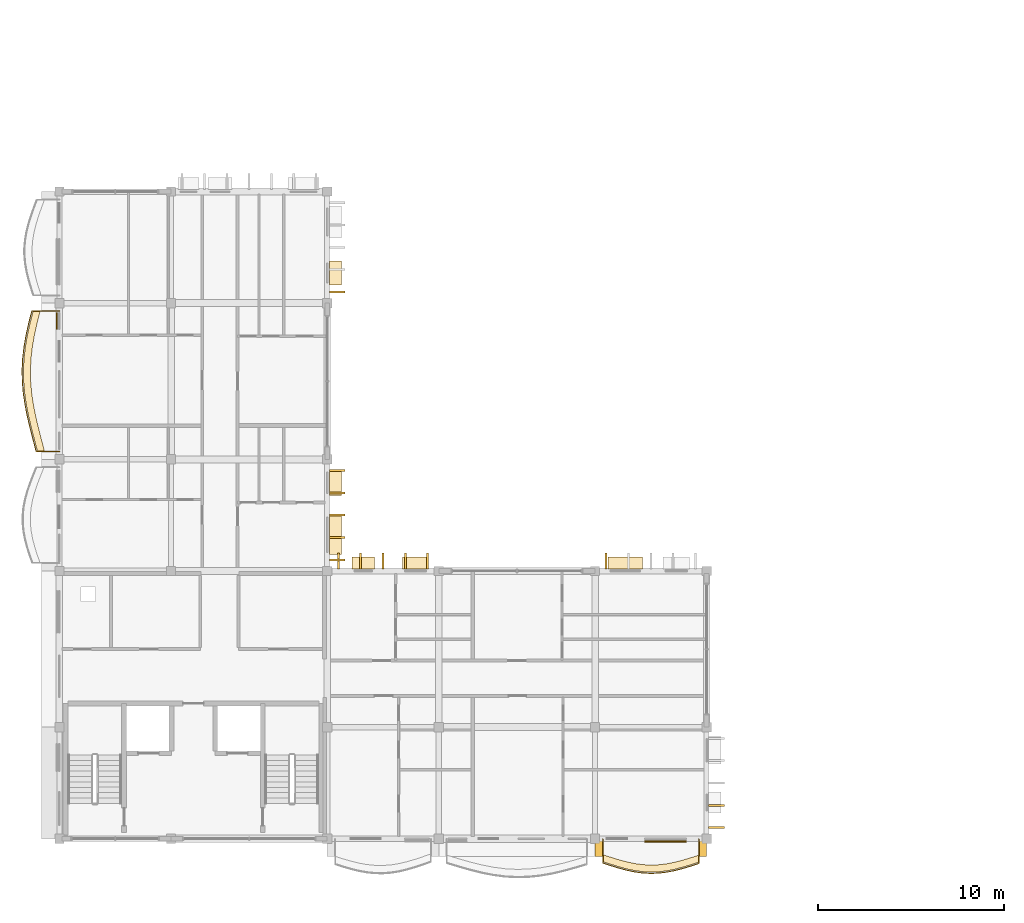
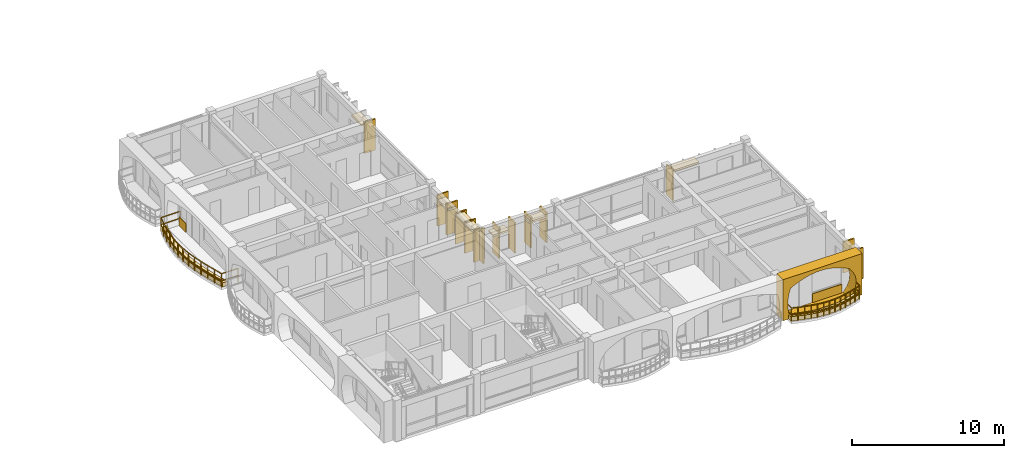
# One storey, part 40 of 54: 25 coverings, 2 railings.
"""IFC4 building model written with IfcOpenShell, lengths in metres."""

from ifc_helpers import new_model, si_unit, direction, frame, origin, origin_2d, place, context, subcontext, project, spatial, polyline, rectangle, outline, extrude, material, layer, layer_set, type_object, element, save


model = new_model("IFC4")

# Units and contexts
model_context = context("Model", 3, precision=1e-05, world=origin(), true_north=direction((0.0, 1.0)))
body_context = subcontext(model_context, "Body", "Model", "MODEL_VIEW")
ifc_project = project(units=[si_unit("LENGTHUNIT", "METRE"), si_unit("AREAUNIT", "SQUARE_METRE"), si_unit("VOLUMEUNIT", "CUBIC_METRE"), si_unit("PLANEANGLEUNIT", "RADIAN"), si_unit("MASSUNIT", "GRAM", prefix="KILO"), si_unit("THERMODYNAMICTEMPERATUREUNIT", "KELVIN")], contexts=[model_context])

# Site, building, storey
site_placement = place(None, origin())
site = spatial("IfcSite", under=ifc_project, at=site_placement, CompositionType="ELEMENT")
building_placement = place(site_placement, origin())
building = spatial("IfcBuilding", under=site, at=building_placement, Name="Thalorik Housing Commons", CompositionType="ELEMENT")
storey_placement = place(building_placement, frame((0.0, 0.0, 31.199951171875)))
storey = spatial("IfcBuildingStorey", under=building, at=storey_placement, Name="L09", CompositionType="ELEMENT", Elevation=31.199951171875)

# Coverings
ifc_material_1 = material(Name="Precast concrete C40/50", Category="concrete")
ifc_layer_1 = layer(ifc_material_1, 0.85009765625, Name="Precast concrete C40/50", Category="concrete")
ifc_layer_set_1 = layer_set([ifc_layer_1], Name="Precast concrete C40/50")
covering_type_1 = type_object("IfcCoveringType", Name="ARC-CLD-CUSH-850", PredefinedType="CLADDING", material=ifc_layer_set_1)
covering_1_placement = place(storey_placement, frame((40.199951171875, 7.862548828125, 0.0), z_axis=(0.0, 0.0, 1.0), x_axis=(1.0, 0.0, 0.0)))
element("IfcCovering", 1, at=covering_1_placement, inside=storey, type_object=covering_type_1, Name="L09 White Precast Curved Cushion Bay Frame 4392", PredefinedType="CLADDING", context=body_context, shape_type="SweptSolid", body=[
    extrude(outline(polyline([(-3.0, 0.0), (3.0, 0.0), (3.0, 3.300048828125), (-3.0, 3.300048828125), (-3.0, 0.0)]), holes=[polyline([(2.0400390625, 0.02490234375), (2.3232421875, 0.42431640625), (2.493408203125, 0.8232421875), (2.550048828125, 1.222412109375), (2.493408203125, 1.62158203125), (2.3232421875, 2.020751953125), (2.0400390625, 2.419921875), (1.66748046875, 2.608642578125), (1.294921875, 2.7568359375), (0.922607421875, 2.876953125), (0.550048828125, 2.96630859375), (0.177490234375, 3.021484375), (-0.195068359375, 3.0400390625), (-0.5673828125, 3.021484375), (-0.93994140625, 2.96630859375), (-1.3125, 2.876953125), (-1.68505859375, 2.7568359375), (-2.0576171875, 2.608642578125), (-2.429931640625, 2.419921875), (-2.55029296875, 2.020751953125), (-2.62255859375, 1.62158203125), (-2.646484375, 1.222412109375), (-2.62255859375, 0.8232421875), (-2.55029296875, 0.42431640625), (-2.429931640625, 0.02490234375), (2.0400390625, 0.02490234375)])]), frame((0.0, 0.425048828125, 0.0), z_axis=(0.0, -1.0, 0.0), x_axis=(1.0, 0.0, 0.0)), (0.0, 0.0, 1.0), 0.85009765625),
])
ifc_layer_2 = layer(ifc_material_1, 0.85009765625, Name="Precast concrete C40/50", Category="concrete")
ifc_layer_set_2 = layer_set([ifc_layer_2], Name="Precast concrete C40/50")
covering_type_2 = type_object("IfcCoveringType", Name="ARC-CLD-FIN-850", PredefinedType="CLADDING", material=ifc_layer_set_2)
for number, where, z_axis, x_axis, name in (
    (2, (23.33740234375, 23.39990234375, 0.0400390625), (0.0, 0.0, 1.0), (0.0, 1.0, 0.0), "L09 Courtyard Precast Vertical Brise-Soleil Fin 4354"),
    (3, (23.33740234375, 24.60009765625, 0.0400390625), (0.0, 0.0, 1.0), (0.0, 1.0, 0.0), "L09 Courtyard Precast Vertical Brise-Soleil Fin 4355"),
    (4, (23.33740234375, 25.800048828125, 0.0400390625), (0.0, 0.0, 1.0), (0.0, 1.0, 0.0), "L09 Courtyard Precast Vertical Brise-Soleil Fin 4356"),
    (5, (23.33740234375, 27.0, 0.0400390625), (0.0, 0.0, 1.0), (0.0, 1.0, 0.0), "L09 Courtyard Precast Vertical Brise-Soleil Fin 4357"),
    (6, (23.33740234375, 28.199951171875, 0.0400390625), (0.0, 0.0, 1.0), (0.0, 1.0, 0.0), "L09 Courtyard Precast Vertical Brise-Soleil Fin 4358"),
    (7, (23.33740234375, 37.800048828125, 0.0400390625), (0.0, 0.0, 1.0), (0.0, 1.0, 0.0), "L09 Courtyard Precast Vertical Brise-Soleil Fin 4361"),
    (8, (43.737548828125, 9.0, 0.0400390625), (0.0, 0.0, 1.0), (0.0, 1.0, 0.0), "L09 Courtyard Precast Vertical Brise-Soleil Fin 4394"),
    (9, (43.737548828125, 10.199951171875, 0.0400390625), (0.0, 0.0, 1.0), (0.0, 1.0, 0.0), "L09 Courtyard Precast Vertical Brise-Soleil Fin 4395"),
):
    element("IfcCovering", number, at=place(storey_placement, frame(where, z_axis=z_axis, x_axis=x_axis)), inside=storey, type_object=covering_type_2, Name=name, PredefinedType="CLADDING", context=body_context, shape_type="SweptSolid", body=[
        extrude(rectangle(XDim=0.110107421875, YDim=0.85009765625, at=origin_2d()), origin(), (0.0, 0.0, 1.0), 2.4951171875),
    ])
for number, where, z_axis, x_axis, name in (
    (10, (37.800048828125, 23.33740234375, 0.0400390625), (0.0, 0.0, 1.0), (-1.0, 0.0, 0.0), "L09 Courtyard Precast Vertical Brise-Soleil Fin 4405"),
    (11, (28.199951171875, 23.33740234375, 0.0400390625), (0.0, 0.0, 1.0), (-1.0, 0.0, 0.0), "L09 Courtyard Precast Vertical Brise-Soleil Fin 4408"),
    (12, (27.0, 23.33740234375, 0.0400390625), (0.0, 0.0, 1.0), (-1.0, 0.0, 0.0), "L09 Courtyard Precast Vertical Brise-Soleil Fin 4409"),
    (13, (25.800048828125, 23.33740234375, 0.0400390625), (0.0, 0.0, 1.0), (-1.0, 0.0, 0.0), "L09 Courtyard Precast Vertical Brise-Soleil Fin 4410"),
    (14, (24.60009765625, 23.33740234375, 0.0400390625), (0.0, 0.0, 1.0), (-1.0, 0.0, 0.0), "L09 Courtyard Precast Vertical Brise-Soleil Fin 4411"),
    (15, (23.39990234375, 23.33740234375, 0.0400390625), (0.0, 0.0, 1.0), (-1.0, 0.0, 0.0), "L09 Courtyard Precast Vertical Brise-Soleil Fin 4412"),
):
    element("IfcCovering", number, at=place(storey_placement, frame(where, z_axis=z_axis, x_axis=x_axis)), inside=storey, type_object=covering_type_2, Name=name, PredefinedType="CLADDING", context=body_context, shape_type="SweptSolid", body=[
        extrude(rectangle(XDim=0.110107421875, YDim=0.85009765625, at=origin_2d()), origin(), (0.0, 0.0, 1.0), 2.445068359375),
    ])
ifc_layer_3 = layer(ifc_material_1, 0.64990234375, Name="Precast concrete C40/50", Category="concrete")
ifc_layer_set_3 = layer_set([ifc_layer_3], Name="Precast concrete C40/50")
covering_type_3 = type_object("IfcCoveringType", Name="ARC-CLD-HOOD-650", PredefinedType="CLADDING", material=ifc_layer_set_3)
covering_2_placement = place(storey_placement, frame((23.237548828125, 24.7353515625, 2.31005859375), z_axis=(0.0, 0.0, 1.0), x_axis=(0.0, 1.0, 0.0)))
element("IfcCovering", 16, at=covering_2_placement, inside=storey, type_object=covering_type_3, Name="L09 Courtyard Precast Window Sun-Hood 4359", PredefinedType="CLADDING", context=body_context, shape_type="SweptSolid", body=[
    extrude(rectangle(XDim=2.1201171875, YDim=0.64990234375, at=origin_2d()), origin(), (0.0, 0.0, 1.0), 0.139892578125),
])
covering_3_placement = place(storey_placement, frame((23.237548828125, 27.54541015625, 2.0400390625), z_axis=(0.0, 0.0, 1.0), x_axis=(0.0, 1.0, 0.0)))
element("IfcCovering", 17, at=covering_3_placement, inside=storey, type_object=covering_type_3, Name="L09 Courtyard Precast Window Sun-Hood 4360", PredefinedType="CLADDING", context=body_context, shape_type="SweptSolid", body=[
    extrude(rectangle(XDim=1.389892578125, YDim=0.64990234375, at=origin_2d()), origin(), (0.0, 0.0, 1.0), 0.139892578125),
])
covering_4_placement = place(storey_placement, frame((23.237548828125, 38.830078125, 1.990234375), z_axis=(0.0, 0.0, 1.0), x_axis=(0.0, 1.0, 0.0)))
element("IfcCovering", 18, at=covering_4_placement, inside=storey, type_object=covering_type_3, Name="L09 Courtyard Precast Window Sun-Hood 4366", PredefinedType="CLADDING", context=body_context, shape_type="SweptSolid", body=[
    extrude(rectangle(XDim=1.2900390625, YDim=0.64990234375, at=origin_2d()), origin(), (0.0, 0.0, 1.0), 0.139892578125),
])
covering_5_placement = place(storey_placement, frame((38.830078125, 23.237548828125, 2.34033203125), z_axis=(0.0, 0.0, 1.0), x_axis=(-1.0, 0.0, 0.0)))
element("IfcCovering", 19, at=covering_5_placement, inside=storey, type_object=covering_type_3, Name="L09 Courtyard Precast Window Sun-Hood 4407", PredefinedType="CLADDING", context=body_context, shape_type="SweptSolid", body=[
    extrude(rectangle(XDim=1.840087890625, YDim=0.64990234375, at=origin_2d()), origin(), (0.0, 0.0, 1.0), 0.139892578125),
])
covering_6_placement = place(storey_placement, frame((27.54541015625, 23.237548828125, 2.0400390625), z_axis=(0.0, 0.0, 1.0), x_axis=(-1.0, 0.0, 0.0)))
element("IfcCovering", 20, at=covering_6_placement, inside=storey, type_object=covering_type_3, Name="L09 Courtyard Precast Window Sun-Hood 4413", PredefinedType="CLADDING", context=body_context, shape_type="SweptSolid", body=[
    extrude(rectangle(XDim=1.389892578125, YDim=0.64990234375, at=origin_2d()), origin(), (0.0, 0.0, 1.0), 0.139892578125),
])
covering_7_placement = place(storey_placement, frame((24.7353515625, 23.237548828125, 1.93994140625), z_axis=(0.0, 0.0, 1.0), x_axis=(-1.0, 0.0, 0.0)))
element("IfcCovering", 21, at=covering_7_placement, inside=storey, type_object=covering_type_3, Name="L09 Courtyard Precast Window Sun-Hood 4414", PredefinedType="CLADDING", context=body_context, shape_type="SweptSolid", body=[
    extrude(rectangle(XDim=1.18994140625, YDim=0.64990234375, at=origin_2d()), origin(), (0.0, 0.0, 1.0), 0.139892578125),
])
ifc_material_2 = material(Name="Terracotta red mineral fibre-cement panel", Category="masonry")
ifc_layer_4 = layer(ifc_material_2, 0.054931640625, Name="Terracotta red mineral fibre-cement panel", Category="masonry")
ifc_layer_set_4 = layer_set([ifc_layer_4], Name="Terracotta red mineral fibre-cement panel")
covering_type_4 = type_object("IfcCoveringType", Name="ARC-CLD-RED-55", PredefinedType="CLADDING", material=ifc_layer_set_4)
covering_8_placement = place(storey_placement, frame((8.2548828125, 36.2451171875, 0.05029296875), z_axis=(0.0, 0.0, 1.0), x_axis=(0.0, -1.0, 0.0)))
element("IfcCovering", 22, at=covering_8_placement, inside=storey, type_object=covering_type_4, Name="L09 De Stijl Recessed Window Spandrel 4381", PredefinedType="CLADDING", context=body_context, shape_type="SweptSolid", body=[
    extrude(rectangle(XDim=0.89990234375, YDim=0.054931640625, at=origin_2d()), origin(), (0.0, 0.0, 1.0), 0.699951171875),
])
ifc_material_3 = material(Name="Mineral ochre architectural terracotta panel", Category="masonry")
ifc_layer_5 = layer(ifc_material_3, 0.06494140625, Name="Mineral ochre architectural terracotta panel", Category="masonry")
ifc_layer_set_5 = layer_set([ifc_layer_5], Name="Mineral ochre architectural terracotta panel")
covering_type_5 = type_object("IfcCoveringType", Name="ARC-CLD-YEL-65", PredefinedType="CLADDING", material=ifc_layer_set_5)
covering_9_placement = place(storey_placement, frame((40.989990234375, 8.25, 0.05029296875), z_axis=(0.0, 0.0, 1.0), x_axis=(1.0, 0.0, 0.0)))
element("IfcCovering", 23, at=covering_9_placement, inside=storey, type_object=covering_type_5, Name="L09 De Stijl Recessed Window Spandrel 4393", PredefinedType="CLADDING", context=body_context, shape_type="SweptSolid", body=[
    extrude(rectangle(XDim=2.25, YDim=0.06494140625, at=origin_2d()), origin(), (0.0, 0.0, 1.0), 0.699951171875),
])
ifc_material_4 = material(Name="Planted vegetated substrate and terracotta trough", Category="masonry")
ifc_layer_6 = layer(ifc_material_4, 0.340087890625, Name="Planted vegetated substrate and terracotta trough", Category="masonry")
ifc_layer_set_6 = layer_set([ifc_layer_6], Name="Planted vegetated substrate and terracotta trough")
covering_type_6 = type_object("IfcCoveringType", Name="ARC-COV-PLANTER", PredefinedType="USERDEFINED", material=ifc_layer_set_6)
covering_10_placement = place(storey_placement, origin())
element("IfcCovering", 24, at=covering_10_placement, inside=storey, type_object=covering_type_6, Name="L09 Balcony Slab-Edge Planted Trough 5634", ObjectType="PLANTER", PredefinedType="USERDEFINED", context=body_context, shape_type="SweptSolid", body=[
    extrude(outline(polyline([(6.984619140625, 36.780029296875), (6.823974609375, 36.14990234375), (6.682861328125, 35.52001953125), (6.571044921875, 34.889892578125), (6.49609375, 34.260009765625), (6.462890625, 33.6298828125), (6.473388671875, 33.0), (6.52685546875, 32.3701171875), (6.619384765625, 31.739990234375), (6.744384765625, 31.110107421875), (6.89306640625, 30.47998046875), (7.055419921875, 29.85009765625), (7.2197265625, 29.219970703125), (7.599853515625, 29.219970703125), (7.435302734375, 29.85009765625), (7.273193359375, 30.47998046875), (7.124267578125, 31.110107421875), (6.99951171875, 31.739990234375), (6.906982421875, 32.3701171875), (6.853515625, 33.0), (6.843017578125, 33.6298828125), (6.876220703125, 34.260009765625), (6.951171875, 34.889892578125), (7.062744140625, 35.52001953125), (7.203857421875, 36.14990234375), (7.364501953125, 36.780029296875), (6.984619140625, 36.780029296875)])), origin(), (0.0, 0.0, 1.0), 0.340087890625),
])
covering_11_placement = place(storey_placement, origin())
element("IfcCovering", 25, at=covering_11_placement, inside=storey, type_object=covering_type_6, Name="L09 Balcony Slab-Edge Planted Trough 5638", ObjectType="PLANTER", PredefinedType="USERDEFINED", context=body_context, shape_type="SweptSolid", body=[
    extrude(outline(polyline([(37.6201171875, 7.165771484375), (38.050048828125, 7.02490234375), (38.47998046875, 6.891845703125), (38.909912109375, 6.7763671875), (39.340087890625, 6.6865234375), (39.77001953125, 6.628662109375), (40.199951171875, 6.60693359375), (40.6298828125, 6.622802734375), (41.06005859375, 6.675048828125), (41.489990234375, 6.759765625), (41.919921875, 6.87060546875), (42.35009765625, 6.999755859375), (42.780029296875, 7.1376953125), (42.780029296875, 7.517822265625), (42.35009765625, 7.3798828125), (41.919921875, 7.250732421875), (41.489990234375, 7.1396484375), (41.06005859375, 7.05517578125), (40.6298828125, 7.0029296875), (40.199951171875, 6.987060546875), (39.77001953125, 7.0087890625), (39.340087890625, 7.06640625), (38.909912109375, 7.15625), (38.47998046875, 7.27197265625), (38.050048828125, 7.40478515625), (37.6201171875, 7.5458984375), (37.6201171875, 7.165771484375)])), origin(), (0.0, 0.0, 1.0), 0.340087890625),
])

# Railings
ifc_material_5 = material(Name="Steel S355", Category="steel")
railing_type = type_object("IfcRailingType", Name="ARC-RL-BAL-112", PredefinedType="BALUSTRADE", material=ifc_material_5)
railing_1_placement = place(storey_placement, frame((8.39990234375, 36.780029296875, 0.0)))
element("IfcRailing", 26, at=railing_1_placement, inside=storey, type_object=railing_type, Name="L09 Cushion Balcony Guardrail 318", PredefinedType="BALUSTRADE", context=body_context, shape_type="SweptSolid", body=[
    extrude(rectangle(XDim=0.050048828125, YDim=0.050048828125, at=origin_2d()), frame((0.0, 0.0, 1.09521484375), z_axis=(-1.0, 0.0, 0.0), x_axis=(0.0, -1.0, 0.0)), (0.0, 0.0, 1.0), 1.4853515625),
    extrude(rectangle(XDim=0.050048828125, YDim=0.050048828125, at=origin_2d()), frame((0.0, 0.0, 0.53515625), z_axis=(-1.0, 0.0, 0.0), x_axis=(0.0, -1.0, 0.0)), (0.0, 0.0, 1.0), 1.4853515625),
    extrude(rectangle(XDim=0.050048828125, YDim=0.050048828125, at=origin_2d()), frame((-1.4853515625, 0.0, 1.09521484375), z_axis=(-0.247038266917, -0.969005724791, 0.0), x_axis=(0.969005724791, -0.247038266917, 0.0)), (0.0, 0.0, 1.0), 0.650390625),
    extrude(rectangle(XDim=0.050048828125, YDim=0.050048828125, at=origin_2d()), frame((-1.4853515625, 0.0, 0.53515625), z_axis=(-0.247038266917, -0.969005724791, 0.0), x_axis=(0.969005724791, -0.247038266917, 0.0)), (0.0, 0.0, 1.0), 0.650390625),
    extrude(rectangle(XDim=0.050048828125, YDim=0.050048828125, at=origin_2d()), frame((-1.64599609375, -0.630126953125, 1.09521484375), z_axis=(-0.218612109708, -0.975811839183, 0.0), x_axis=(0.975811839183, -0.218612109708, 0.0)), (0.0, 0.0, 1.0), 0.6455078125),
    extrude(rectangle(XDim=0.050048828125, YDim=0.050048828125, at=origin_2d()), frame((-1.64599609375, -0.630126953125, 0.53515625), z_axis=(-0.218612109708, -0.975811839183, 0.0), x_axis=(0.975811839183, -0.218612109708, 0.0)), (0.0, 0.0, 1.0), 0.6455078125),
    extrude(rectangle(XDim=0.050048828125, YDim=0.050048828125, at=origin_2d()), frame((-1.787109375, -1.260009765625, 1.09521484375), z_axis=(-0.174351172623, -0.984683537287, 0.0), x_axis=(0.984683537287, -0.174351172623, 0.0)), (0.0, 0.0, 1.0), 0.639892578125),
    extrude(rectangle(XDim=0.050048828125, YDim=0.050048828125, at=origin_2d()), frame((-1.787109375, -1.260009765625, 0.53515625), z_axis=(-0.174351172623, -0.984683537287, 0.0), x_axis=(0.984683537287, -0.174351172623, 0.0)), (0.0, 0.0, 1.0), 0.639892578125),
    extrude(rectangle(XDim=0.050048828125, YDim=0.050048828125, at=origin_2d()), frame((-1.898681640625, -1.89013671875, 1.09521484375), z_axis=(-0.118538157109, -0.992949497864, 0.0), x_axis=(0.992949497864, -0.118538157109, 0.0)), (0.0, 0.0, 1.0), 0.63427734375),
    extrude(rectangle(XDim=0.050048828125, YDim=0.050048828125, at=origin_2d()), frame((-1.898681640625, -1.89013671875, 0.53515625), z_axis=(-0.118538157109, -0.992949497864, 0.0), x_axis=(0.992949497864, -0.118538157109, 0.0)), (0.0, 0.0, 1.0), 0.63427734375),
    extrude(rectangle(XDim=0.050048828125, YDim=0.050048828125, at=origin_2d()), frame((-1.973876953125, -2.52001953125, 1.09521484375), z_axis=(-0.052619755312, -0.998614621038, 0.0), x_axis=(0.998614621038, -0.052619755312, 0.0)), (0.0, 0.0, 1.0), 0.631103515625),
    extrude(rectangle(XDim=0.050048828125, YDim=0.050048828125, at=origin_2d()), frame((-1.973876953125, -2.52001953125, 0.53515625), z_axis=(-0.052619755312, -0.998614621038, 0.0), x_axis=(0.998614621038, -0.052619755312, 0.0)), (0.0, 0.0, 1.0), 0.631103515625),
    extrude(rectangle(XDim=0.050048828125, YDim=0.050048828125, at=origin_2d()), frame((-2.007080078125, -3.150146484375, 1.09521484375), z_axis=(0.017051784008, -0.999854607762, 0.0), x_axis=(0.999854607762, 0.017051784008, 0.0)), (0.0, 0.0, 1.0), 0.6298828125),
    extrude(rectangle(XDim=0.050048828125, YDim=0.050048828125, at=origin_2d()), frame((-2.007080078125, -3.150146484375, 0.53515625), z_axis=(0.017051784008, -0.999854607762, 0.0), x_axis=(0.999854607762, 0.017051784008, 0.0)), (0.0, 0.0, 1.0), 0.6298828125),
    extrude(rectangle(XDim=0.050048828125, YDim=0.050048828125, at=origin_2d()), frame((-1.996337890625, -3.780029296875, 1.09521484375), z_axis=(0.084196095588, -0.99644920467, 0.0), x_axis=(0.99644920467, 0.084196095588, 0.0)), (0.0, 0.0, 1.0), 0.632080078125),
    extrude(rectangle(XDim=0.050048828125, YDim=0.050048828125, at=origin_2d()), frame((-1.996337890625, -3.780029296875, 0.53515625), z_axis=(0.084196095588, -0.99644920467, 0.0), x_axis=(0.99644920467, 0.084196095588, 0.0)), (0.0, 0.0, 1.0), 0.632080078125),
    extrude(rectangle(XDim=0.050048828125, YDim=0.050048828125, at=origin_2d()), frame((-1.943115234375, -4.409912109375, 1.09521484375), z_axis=(0.145284304764, -0.989389948801, 0.0), x_axis=(0.989389948801, 0.145284304764, 0.0)), (0.0, 0.0, 1.0), 0.636962890625),
    extrude(rectangle(XDim=0.050048828125, YDim=0.050048828125, at=origin_2d()), frame((-1.943115234375, -4.409912109375, 0.53515625), z_axis=(0.145284304764, -0.989389948801, 0.0), x_axis=(0.989389948801, 0.145284304764, 0.0)), (0.0, 0.0, 1.0), 0.636962890625),
    extrude(rectangle(XDim=0.050048828125, YDim=0.050048828125, at=origin_2d()), frame((-1.8505859375, -5.0400390625, 1.09521484375), z_axis=(0.194653674939, -0.980872033872, 0.0), x_axis=(0.980872033872, 0.194653674939, 0.0)), (0.0, 0.0, 1.0), 0.64208984375),
    extrude(rectangle(XDim=0.050048828125, YDim=0.050048828125, at=origin_2d()), frame((-1.8505859375, -5.0400390625, 0.53515625), z_axis=(0.194653674939, -0.980872033872, 0.0), x_axis=(0.980872033872, 0.194653674939, 0.0)), (0.0, 0.0, 1.0), 0.64208984375),
    extrude(rectangle(XDim=0.050048828125, YDim=0.050048828125, at=origin_2d()), frame((-1.7255859375, -5.669921875, 1.09521484375), z_axis=(0.2296488173, -0.973273559033, 0.0), x_axis=(0.973273559033, 0.2296488173, 0.0)), (0.0, 0.0, 1.0), 0.6474609375),
    extrude(rectangle(XDim=0.050048828125, YDim=0.050048828125, at=origin_2d()), frame((-1.7255859375, -5.669921875, 0.53515625), z_axis=(0.2296488173, -0.973273559033, 0.0), x_axis=(0.973273559033, 0.2296488173, 0.0)), (0.0, 0.0, 1.0), 0.6474609375),
    extrude(rectangle(XDim=0.050048828125, YDim=0.050048828125, at=origin_2d()), frame((-1.576904296875, -6.300048828125, 1.09521484375), z_axis=(0.249594222451, -0.968350517178, 0.0), x_axis=(0.968350517178, 0.249594222451, 0.0)), (0.0, 0.0, 1.0), 0.650390625),
    extrude(rectangle(XDim=0.050048828125, YDim=0.050048828125, at=origin_2d()), frame((-1.576904296875, -6.300048828125, 0.53515625), z_axis=(0.249594222451, -0.968350517178, 0.0), x_axis=(0.968350517178, 0.249594222451, 0.0)), (0.0, 0.0, 1.0), 0.650390625),
    extrude(rectangle(XDim=0.050048828125, YDim=0.050048828125, at=origin_2d()), frame((-1.41455078125, -6.929931640625, 1.09521484375), z_axis=(0.252666055778, -0.967553545938, 0.0), x_axis=(0.967553545938, 0.252666055778, 0.0)), (0.0, 0.0, 1.0), 0.6513671875),
    extrude(rectangle(XDim=0.050048828125, YDim=0.050048828125, at=origin_2d()), frame((-1.41455078125, -6.929931640625, 0.53515625), z_axis=(0.252666055778, -0.967553545938, 0.0), x_axis=(0.967553545938, 0.252666055778, 0.0)), (0.0, 0.0, 1.0), 0.6513671875),
    extrude(rectangle(XDim=0.050048828125, YDim=0.050048828125, at=origin_2d()), frame((-1.25, -7.56005859375, 1.09521484375), z_axis=(1.0, 0.0, 0.0), x_axis=(0.0, 1.0, 0.0)), (0.0, 0.0, 1.0), 1.25),
    extrude(rectangle(XDim=0.050048828125, YDim=0.050048828125, at=origin_2d()), frame((-1.25, -7.56005859375, 0.53515625), z_axis=(1.0, 0.0, 0.0), x_axis=(0.0, 1.0, 0.0)), (0.0, 0.0, 1.0), 1.25),
    extrude(rectangle(XDim=0.0419921875, YDim=0.0419921875, at=origin_2d()), origin(), (0.0, 0.0, 1.0), 1.070068359375),
    extrude(rectangle(XDim=0.0419921875, YDim=0.0419921875, at=origin_2d()), frame((-1.4853515625, 0.0, 0.0)), (0.0, 0.0, 1.0), 1.070068359375),
    extrude(rectangle(XDim=0.0419921875, YDim=0.0419921875, at=origin_2d()), frame((-1.64599609375, -0.630126953125, 0.0)), (0.0, 0.0, 1.0), 1.070068359375),
    extrude(rectangle(XDim=0.0419921875, YDim=0.0419921875, at=origin_2d()), frame((-1.787109375, -1.260009765625, 0.0)), (0.0, 0.0, 1.0), 1.070068359375),
    extrude(rectangle(XDim=0.0419921875, YDim=0.0419921875, at=origin_2d()), frame((-1.898681640625, -1.89013671875, 0.0)), (0.0, 0.0, 1.0), 1.070068359375),
    extrude(rectangle(XDim=0.0419921875, YDim=0.0419921875, at=origin_2d()), frame((-1.973876953125, -2.52001953125, 0.0)), (0.0, 0.0, 1.0), 1.070068359375),
    extrude(rectangle(XDim=0.0419921875, YDim=0.0419921875, at=origin_2d()), frame((-2.007080078125, -3.150146484375, 0.0)), (0.0, 0.0, 1.0), 1.070068359375),
    extrude(rectangle(XDim=0.0419921875, YDim=0.0419921875, at=origin_2d()), frame((-1.996337890625, -3.780029296875, 0.0)), (0.0, 0.0, 1.0), 1.070068359375),
    extrude(rectangle(XDim=0.0419921875, YDim=0.0419921875, at=origin_2d()), frame((-1.943115234375, -4.409912109375, 0.0)), (0.0, 0.0, 1.0), 1.070068359375),
    extrude(rectangle(XDim=0.0419921875, YDim=0.0419921875, at=origin_2d()), frame((-1.8505859375, -5.0400390625, 0.0)), (0.0, 0.0, 1.0), 1.070068359375),
    extrude(rectangle(XDim=0.0419921875, YDim=0.0419921875, at=origin_2d()), frame((-1.7255859375, -5.669921875, 0.0)), (0.0, 0.0, 1.0), 1.070068359375),
    extrude(rectangle(XDim=0.0419921875, YDim=0.0419921875, at=origin_2d()), frame((-1.576904296875, -6.300048828125, 0.0)), (0.0, 0.0, 1.0), 1.070068359375),
    extrude(rectangle(XDim=0.0419921875, YDim=0.0419921875, at=origin_2d()), frame((-1.41455078125, -6.929931640625, 0.0)), (0.0, 0.0, 1.0), 1.070068359375),
    extrude(rectangle(XDim=0.0419921875, YDim=0.0419921875, at=origin_2d()), frame((-1.25, -7.56005859375, 0.0)), (0.0, 0.0, 1.0), 1.070068359375),
    extrude(rectangle(XDim=0.0419921875, YDim=0.0419921875, at=origin_2d()), frame((0.0, -7.56005859375, 0.0)), (0.0, 0.0, 1.0), 1.070068359375),
])
railing_2_placement = place(storey_placement, frame((37.6201171875, 8.39990234375, 0.0)))
element("IfcRailing", 27, at=railing_2_placement, inside=storey, type_object=railing_type, Name="L09 Cushion Balcony Guardrail 322", PredefinedType="BALUSTRADE", context=body_context, shape_type="SweptSolid", body=[
    extrude(rectangle(XDim=0.050048828125, YDim=0.050048828125, at=origin_2d()), frame((0.0, 0.0, 1.09521484375), z_axis=(0.0, -1.0, 0.0), x_axis=(1.0, 0.0, 0.0)), (0.0, 0.0, 1.0), 1.30419921875),
    extrude(rectangle(XDim=0.050048828125, YDim=0.050048828125, at=origin_2d()), frame((0.0, 0.0, 0.53515625), z_axis=(0.0, -1.0, 0.0), x_axis=(1.0, 0.0, 0.0)), (0.0, 0.0, 1.0), 1.30419921875),
    extrude(rectangle(XDim=0.050048828125, YDim=0.050048828125, at=origin_2d()), frame((0.0, -1.30419921875, 1.09521484375), z_axis=(0.950289758629, -0.311366945332, 0.0), x_axis=(0.311366945332, 0.950289758629, 0.0)), (0.0, 0.0, 1.0), 0.452392578125),
    extrude(rectangle(XDim=0.050048828125, YDim=0.050048828125, at=origin_2d()), frame((0.0, -1.30419921875, 0.53515625), z_axis=(0.950289758629, -0.311366945332, 0.0), x_axis=(0.311366945332, 0.950289758629, 0.0)), (0.0, 0.0, 1.0), 0.452392578125),
    extrude(rectangle(XDim=0.050048828125, YDim=0.050048828125, at=origin_2d()), frame((0.429931640625, -1.445068359375, 1.09521484375), z_axis=(0.955449943184, -0.295153190853, 0.0), x_axis=(0.295153190853, 0.955449943184, 0.0)), (0.0, 0.0, 1.0), 0.449951171875),
    extrude(rectangle(XDim=0.050048828125, YDim=0.050048828125, at=origin_2d()), frame((0.429931640625, -1.445068359375, 0.53515625), z_axis=(0.955449943184, -0.295153190853, 0.0), x_axis=(0.295153190853, 0.955449943184, 0.0)), (0.0, 0.0, 1.0), 0.449951171875),
    extrude(rectangle(XDim=0.050048828125, YDim=0.050048828125, at=origin_2d()), frame((0.85986328125, -1.577880859375, 1.09521484375), z_axis=(0.965631639751, -0.259914478843, 0.0), x_axis=(0.259914478843, 0.965631639751, 0.0)), (0.0, 0.0, 1.0), 0.4453125),
    extrude(rectangle(XDim=0.050048828125, YDim=0.050048828125, at=origin_2d()), frame((0.85986328125, -1.577880859375, 0.53515625), z_axis=(0.965631639751, -0.259914478843, 0.0), x_axis=(0.259914478843, 0.965631639751, 0.0)), (0.0, 0.0, 1.0), 0.4453125),
    extrude(rectangle(XDim=0.050048828125, YDim=0.050048828125, at=origin_2d()), frame((1.289794921875, -1.693603515625, 1.09521484375), z_axis=(0.97887861676, -0.204442299074, 0.0), x_axis=(0.204442299074, 0.97887861676, 0.0)), (0.0, 0.0, 1.0), 0.439453125),
    extrude(rectangle(XDim=0.050048828125, YDim=0.050048828125, at=origin_2d()), frame((1.289794921875, -1.693603515625, 0.53515625), z_axis=(0.97887861676, -0.204442299074, 0.0), x_axis=(0.204442299074, 0.97887861676, 0.0)), (0.0, 0.0, 1.0), 0.439453125),
    extrude(rectangle(XDim=0.050048828125, YDim=0.050048828125, at=origin_2d()), frame((1.719970703125, -1.783447265625, 1.09521484375), z_axis=(0.99106495406, -0.133380121586, 0.0), x_axis=(0.133380121586, 0.99106495406, 0.0)), (0.0, 0.0, 1.0), 0.433837890625),
    extrude(rectangle(XDim=0.050048828125, YDim=0.050048828125, at=origin_2d()), frame((1.719970703125, -1.783447265625, 0.53515625), z_axis=(0.99106495406, -0.133380121586, 0.0), x_axis=(0.133380121586, 0.99106495406, 0.0)), (0.0, 0.0, 1.0), 0.433837890625),
    extrude(rectangle(XDim=0.050048828125, YDim=0.050048828125, at=origin_2d()), frame((2.14990234375, -1.84130859375, 1.09521484375), z_axis=(0.99875375282, -0.049909330067, 0.0), x_axis=(0.049909330067, 0.99875375282, 0.0)), (0.0, 0.0, 1.0), 0.430419921875),
    extrude(rectangle(XDim=0.050048828125, YDim=0.050048828125, at=origin_2d()), frame((2.14990234375, -1.84130859375, 0.53515625), z_axis=(0.99875375282, -0.049909330067, 0.0), x_axis=(0.049909330067, 0.99875375282, 0.0)), (0.0, 0.0, 1.0), 0.430419921875),
    extrude(rectangle(XDim=0.050048828125, YDim=0.050048828125, at=origin_2d()), frame((2.579833984375, -1.86279296875, 1.09521484375), z_axis=(0.999319489991, 0.03688572791, 0.0), x_axis=(-0.03688572791, 0.999319489991, 0.0)), (0.0, 0.0, 1.0), 0.43017578125),
    extrude(rectangle(XDim=0.050048828125, YDim=0.050048828125, at=origin_2d()), frame((2.579833984375, -1.86279296875, 0.53515625), z_axis=(0.999319489991, 0.03688572791, 0.0), x_axis=(-0.03688572791, 0.999319489991, 0.0)), (0.0, 0.0, 1.0), 0.43017578125),
    extrude(rectangle(XDim=0.050048828125, YDim=0.050048828125, at=origin_2d()), frame((3.009765625, -1.846923828125, 1.09521484375), z_axis=(0.992772482645, 0.120011656529, 0.0), x_axis=(-0.120011656529, 0.992772482645, 0.0)), (0.0, 0.0, 1.0), 0.433349609375),
    extrude(rectangle(XDim=0.050048828125, YDim=0.050048828125, at=origin_2d()), frame((3.009765625, -1.846923828125, 0.53515625), z_axis=(0.992772482645, 0.120011656529, 0.0), x_axis=(-0.120011656529, 0.992772482645, 0.0)), (0.0, 0.0, 1.0), 0.433349609375),
    extrude(rectangle(XDim=0.050048828125, YDim=0.050048828125, at=origin_2d()), frame((3.43994140625, -1.794921875, 1.09521484375), z_axis=(0.98113386456, 0.193329614425, 0.0), x_axis=(-0.193329614425, 0.98113386456, 0.0)), (0.0, 0.0, 1.0), 0.438232421875),
    extrude(rectangle(XDim=0.050048828125, YDim=0.050048828125, at=origin_2d()), frame((3.43994140625, -1.794921875, 0.53515625), z_axis=(0.98113386456, 0.193329614425, 0.0), x_axis=(-0.193329614425, 0.98113386456, 0.0)), (0.0, 0.0, 1.0), 0.438232421875),
    extrude(rectangle(XDim=0.050048828125, YDim=0.050048828125, at=origin_2d()), frame((3.869873046875, -1.710205078125, 1.09521484375), z_axis=(0.968204332881, 0.250160687939, 0.0), x_axis=(-0.250160687939, 0.968204332881, 0.0)), (0.0, 0.0, 1.0), 0.444091796875),
    extrude(rectangle(XDim=0.050048828125, YDim=0.050048828125, at=origin_2d()), frame((3.869873046875, -1.710205078125, 0.53515625), z_axis=(0.968204332881, 0.250160687939, 0.0), x_axis=(-0.250160687939, 0.968204332881, 0.0)), (0.0, 0.0, 1.0), 0.444091796875),
    extrude(rectangle(XDim=0.050048828125, YDim=0.050048828125, at=origin_2d()), frame((4.2998046875, -1.59912109375, 1.09521484375), z_axis=(0.957916015978, 0.287048613188, 0.0), x_axis=(-0.287048613188, 0.957916015978, 0.0)), (0.0, 0.0, 1.0), 0.448974609375),
    extrude(rectangle(XDim=0.050048828125, YDim=0.050048828125, at=origin_2d()), frame((4.2998046875, -1.59912109375, 0.53515625), z_axis=(0.957916015978, 0.287048613188, 0.0), x_axis=(-0.287048613188, 0.957916015978, 0.0)), (0.0, 0.0, 1.0), 0.448974609375),
    extrude(rectangle(XDim=0.050048828125, YDim=0.050048828125, at=origin_2d()), frame((4.72998046875, -1.47021484375, 1.09521484375), z_axis=(0.952034186086, 0.30599168048, 0.0), x_axis=(-0.30599168048, 0.952034186086, 0.0)), (0.0, 0.0, 1.0), 0.45166015625),
    extrude(rectangle(XDim=0.050048828125, YDim=0.050048828125, at=origin_2d()), frame((4.72998046875, -1.47021484375, 0.53515625), z_axis=(0.952034186086, 0.30599168048, 0.0), x_axis=(-0.30599168048, 0.952034186086, 0.0)), (0.0, 0.0, 1.0), 0.45166015625),
    extrude(rectangle(XDim=0.050048828125, YDim=0.050048828125, at=origin_2d()), frame((5.159912109375, -1.33203125, 1.09521484375), z_axis=(0.0, 1.0, 0.0), x_axis=(-1.0, 0.0, 0.0)), (0.0, 0.0, 1.0), 1.33203125),
    extrude(rectangle(XDim=0.050048828125, YDim=0.050048828125, at=origin_2d()), frame((5.159912109375, -1.33203125, 0.53515625), z_axis=(0.0, 1.0, 0.0), x_axis=(-1.0, 0.0, 0.0)), (0.0, 0.0, 1.0), 1.33203125),
    extrude(rectangle(XDim=0.0419921875, YDim=0.0419921875, at=origin_2d()), origin(), (0.0, 0.0, 1.0), 1.070068359375),
    extrude(rectangle(XDim=0.0419921875, YDim=0.0419921875, at=origin_2d()), frame((0.0, -1.30419921875, 0.0)), (0.0, 0.0, 1.0), 1.070068359375),
    extrude(rectangle(XDim=0.0419921875, YDim=0.0419921875, at=origin_2d()), frame((0.429931640625, -1.445068359375, 0.0)), (0.0, 0.0, 1.0), 1.070068359375),
    extrude(rectangle(XDim=0.0419921875, YDim=0.0419921875, at=origin_2d()), frame((0.85986328125, -1.577880859375, 0.0)), (0.0, 0.0, 1.0), 1.070068359375),
    extrude(rectangle(XDim=0.0419921875, YDim=0.0419921875, at=origin_2d()), frame((1.289794921875, -1.693603515625, 0.0)), (0.0, 0.0, 1.0), 1.070068359375),
    extrude(rectangle(XDim=0.0419921875, YDim=0.0419921875, at=origin_2d()), frame((1.719970703125, -1.783447265625, 0.0)), (0.0, 0.0, 1.0), 1.070068359375),
    extrude(rectangle(XDim=0.0419921875, YDim=0.0419921875, at=origin_2d()), frame((2.14990234375, -1.84130859375, 0.0)), (0.0, 0.0, 1.0), 1.070068359375),
    extrude(rectangle(XDim=0.0419921875, YDim=0.0419921875, at=origin_2d()), frame((2.579833984375, -1.86279296875, 0.0)), (0.0, 0.0, 1.0), 1.070068359375),
    extrude(rectangle(XDim=0.0419921875, YDim=0.0419921875, at=origin_2d()), frame((3.009765625, -1.846923828125, 0.0)), (0.0, 0.0, 1.0), 1.070068359375),
    extrude(rectangle(XDim=0.0419921875, YDim=0.0419921875, at=origin_2d()), frame((3.43994140625, -1.794921875, 0.0)), (0.0, 0.0, 1.0), 1.070068359375),
    extrude(rectangle(XDim=0.0419921875, YDim=0.0419921875, at=origin_2d()), frame((3.869873046875, -1.710205078125, 0.0)), (0.0, 0.0, 1.0), 1.070068359375),
    extrude(rectangle(XDim=0.0419921875, YDim=0.0419921875, at=origin_2d()), frame((4.2998046875, -1.59912109375, 0.0)), (0.0, 0.0, 1.0), 1.070068359375),
    extrude(rectangle(XDim=0.0419921875, YDim=0.0419921875, at=origin_2d()), frame((4.72998046875, -1.47021484375, 0.0)), (0.0, 0.0, 1.0), 1.070068359375),
    extrude(rectangle(XDim=0.0419921875, YDim=0.0419921875, at=origin_2d()), frame((5.159912109375, -1.33203125, 0.0)), (0.0, 0.0, 1.0), 1.070068359375),
    extrude(rectangle(XDim=0.0419921875, YDim=0.0419921875, at=origin_2d()), frame((5.159912109375, 0.0, 0.0)), (0.0, 0.0, 1.0), 1.070068359375),
])

save(model, "model.ifc")
